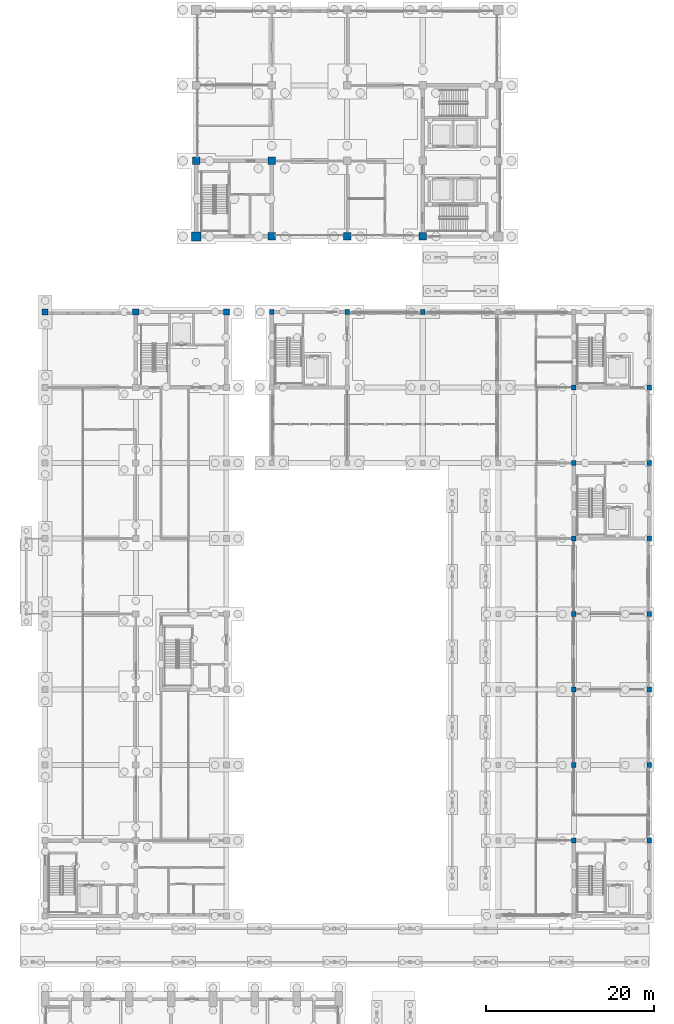
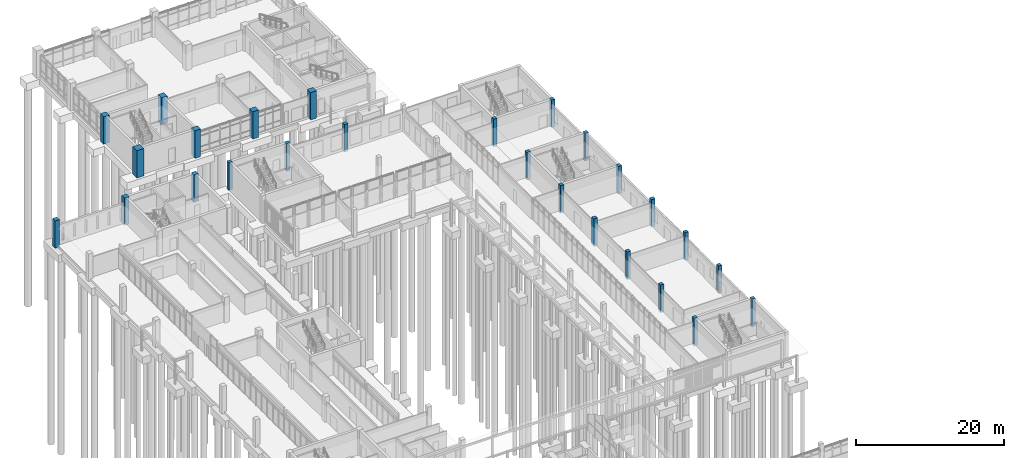
# One storey, part 21 of 106: 26 columns.
"""IFC4 building model written with IfcOpenShell, lengths in metres."""

import ifcopenshell
import ifcopenshell.guid

model = None  # the IFC model being written
_history = None  # IfcOwnerHistory: only IFC2X3 demands one
_inside = {}  # id of a spatial element -> (the spatial element, [elements in it])
_under = {}  # id of a project, library or spatial element -> (it, [spatial elements below it])
_declared = {}  # id of a project -> (the project, [libraries it declares])
_typed = {}  # id of a type object -> (the type object, [elements of that type])
_made_of = {}  # id of a material, layer set ... -> (it, [elements and type objects made of it])


def new_model(schema):
    """Start an empty IFC model of exactly this schema.

    Asked for "IFC4X3", IfcOpenShell would pick the latest addendum, in which some entities
    have other attributes; the version numbers below select the first issue.
    IFC2X3 requires an IfcOwnerHistory on every rooted entity: one is made here for all.
    """
    global model, _history
    if schema == "IFC4X3":
        model = ifcopenshell.file(schema_version=(4, 3, 0, 0))
    else:
        model = ifcopenshell.file(schema=schema)
    _inside.clear()
    _under.clear()
    _declared.clear()
    _typed.clear()
    _made_of.clear()
    _history = None
    if model.schema == "IFC2X3":
        org = make("IfcOrganization", Name="unknown")
        user = make(
            "IfcPersonAndOrganization",
            ThePerson=make("IfcPerson", FamilyName="unknown"),
            TheOrganization=org,
        )
        app = make(
            "IfcApplication",
            ApplicationDeveloper=org,
            Version="unknown",
            ApplicationFullName="unknown",
            ApplicationIdentifier="unknown",
        )
        _history = make(
            "IfcOwnerHistory",
            OwningUser=user,
            OwningApplication=app,
            ChangeAction="ADDED",
            CreationDate=0,
        )
    return model


def make(cls, **values):
    """One entity of the class cls with the attributes given. An attribute that is None is left unset."""
    return model.create_entity(
        cls, **{name: value for name, value in values.items() if value is not None}
    )


def rooted(cls, **values):
    """An entity with a GlobalId (a new one), such as an element, a storey or a relation."""
    return make(cls, GlobalId=ifcopenshell.guid.new(), OwnerHistory=_history, **values)


def si_unit(unit_type, name, prefix=None):
    """IfcSIUnit, for example si_unit("LENGTHUNIT", "METRE", prefix="MILLI")."""
    return make("IfcSIUnit", UnitType=unit_type, Prefix=prefix, Name=name)


def assignment(units):
    """IfcUnitAssignment: the units of a project."""
    return None if units is None else make("IfcUnitAssignment", Units=units)


def point(xyz):
    """IfcCartesianPoint."""
    return None if xyz is None else make("IfcCartesianPoint", Coordinates=xyz)


def direction(xyz):
    """IfcDirection."""
    return None if xyz is None else make("IfcDirection", DirectionRatios=xyz)


def frame(location, z_axis=None, x_axis=None):
    """IfcAxis2Placement3D, a coordinate frame: its origin and axes. An axis left out is left unset."""
    return make(
        "IfcAxis2Placement3D",
        Location=point(location),
        Axis=direction(z_axis),
        RefDirection=direction(x_axis),
    )


def frame_2d(location, x_axis=None):
    """IfcAxis2Placement2D, a coordinate frame in the plane: its origin and x axis."""
    return make(
        "IfcAxis2Placement2D", Location=point(location), RefDirection=direction(x_axis)
    )


def origin():
    """The frame at (0, 0, 0) with its axes left unset."""
    return frame((0.0, 0.0, 0.0))


def origin_2d():
    """The frame at (0, 0) in the plane with its x axis left unset."""
    return frame_2d((0.0, 0.0))


def place(relative_to, where):
    """IfcLocalPlacement: puts the frame where relative to a parent placement (None: the world)."""
    return make(
        "IfcLocalPlacement", PlacementRelTo=relative_to, RelativePlacement=where
    )


def context(
    kind, dimensions, precision=None, world=None, true_north=None, identifier=None
):
    """IfcGeometricRepresentationContext, for example the 3D "Model" context."""
    return make(
        "IfcGeometricRepresentationContext",
        ContextIdentifier=identifier,
        ContextType=kind,
        CoordinateSpaceDimension=dimensions,
        Precision=precision,
        WorldCoordinateSystem=world,
        TrueNorth=true_north,
    )


def subcontext(parent, identifier, kind, view, scale=None):
    """IfcGeometricRepresentationSubContext, for example "Body" below "Model"."""
    return make(
        "IfcGeometricRepresentationSubContext",
        ContextIdentifier=identifier,
        ContextType=kind,
        ParentContext=parent,
        TargetScale=scale,
        TargetView=view,
    )


def project(units=None, contexts=None):
    """IfcProject with its units and contexts."""
    return rooted(
        "IfcProject",
        Name="project",
        RepresentationContexts=contexts,
        UnitsInContext=assignment(units),
    )


def spatial(cls, under=None, at=None, **own):
    """A site, building, storey or space (cls), placed at a placement, below another one or the project."""
    s = rooted(cls, ObjectPlacement=at, **own)
    if under is not None:
        _under.setdefault(under.id(), (under, []))[1].append(s)
    return s


def profile(cls, at=None, kind="AREA", **sizes):
    """A parametric profile (cls). Its sizes go by their IFC names, for example OverallWidth=200.0."""
    return make(cls, ProfileType=kind, Position=at, **sizes)


def rectangle(**sizes):
    """IfcRectangleProfileDef."""
    return profile("IfcRectangleProfileDef", **sizes)


def extrude(swept, where, along, depth):
    """IfcExtrudedAreaSolid: the profile swept, set in the frame where, extruded along a direction by depth."""
    return make(
        "IfcExtrudedAreaSolid",
        SweptArea=swept,
        Position=where,
        ExtrudedDirection=direction(along),
        Depth=depth,
    )


def shape(context_of_items, identifier, shape_type, items):
    """IfcShapeRepresentation: the items that make up one representation, for example the "Body"."""
    return make(
        "IfcShapeRepresentation",
        ContextOfItems=context_of_items,
        RepresentationIdentifier=identifier,
        RepresentationType=shape_type,
        Items=items,
    )


def material(Name=None, Category=None):
    """IfcMaterial."""
    return make("IfcMaterial", Name=Name, Category=Category)


def material_profile(
    of_material, cross_section, Name=None, Category=None, Priority=None
):
    """IfcMaterialProfile: a cross section and its material."""
    return make(
        "IfcMaterialProfile",
        Name=Name,
        Material=of_material,
        Profile=cross_section,
        Priority=Priority,
        Category=Category,
    )


def profile_set(profiles, Name=None, composite=None):
    """IfcMaterialProfileSet."""
    return make(
        "IfcMaterialProfileSet",
        Name=Name,
        MaterialProfiles=profiles,
        CompositeProfile=composite,
    )


def made_of(thing, what):
    """Note that an element or type object is made of a material, layer set ...; save() writes the relation."""
    if what is not None:
        _made_of.setdefault(what.id(), (what, []))[1].append(thing)
    return thing


def type_object(cls, material=None, **own):
    """A type object (cls), such as IfcWallType, which elements share."""
    return made_of(rooted(cls, **own), material)


def element(
    cls,
    number,
    at=None,
    inside=None,
    cuts=None,
    type_object=None,
    material=None,
    context=None,
    identifier="Body",
    shape_type=None,
    held_by="IfcProductDefinitionShape",
    body=None,
    shapes=None,
    **own,
):
    """One element of the class cls, such as IfcWall. Its Tag is "e" and its number.

    at: its placement. inside: the storey or other place that contains it. cuts: it is an
    opening in that element (IfcRelVoidsElement). A single representation is given by context,
    identifier, shape_type and body (its items); several are given by shapes. held_by: the class
    of the entity that holds the representations. save() writes the other relations.
    """
    e = rooted(cls, Tag="e%d" % number, ObjectPlacement=at, **own)
    if body is not None:
        shapes = [shape(context, identifier, shape_type, body)]
    if shapes is not None:
        e.Representation = make(held_by, Representations=shapes)
    if inside is not None:
        _inside.setdefault(inside.id(), (inside, []))[1].append(e)
    if cuts is not None:
        rooted(
            "IfcRelVoidsElement", RelatingBuildingElement=cuts, RelatedOpeningElement=e
        )
    if type_object is not None:
        _typed.setdefault(type_object.id(), (type_object, []))[1].append(e)
    return made_of(e, material)


def aggregate(whole, parts):
    """IfcRelAggregates: a whole, such as a stair, and the parts it consists of."""
    return rooted("IfcRelAggregates", RelatingObject=whole, RelatedObjects=parts)


def save(model, path):
    """Write the relations noted so far, then the file.

    IfcRelAggregates (storeys below a building ...), IfcRelContainedInSpatialStructure (elements
    in a storey), IfcRelDefinesByType, IfcRelAssociatesMaterial and IfcRelDeclares: one each for
    every whole, place, type object, material and project.
    """
    for whole, parts in _under.values():
        aggregate(whole, parts)
    for where, things in _inside.values():
        rooted(
            "IfcRelContainedInSpatialStructure",
            RelatedElements=things,
            RelatingStructure=where,
        )
    for kind, things in _typed.values():
        rooted("IfcRelDefinesByType", RelatedObjects=things, RelatingType=kind)
    for what, things in _made_of.values():
        rooted("IfcRelAssociatesMaterial", RelatedObjects=things, RelatingMaterial=what)
    for by, libraries in _declared.values():
        rooted("IfcRelDeclares", RelatingContext=by, RelatedDefinitions=libraries)
    model.write(path)


model = new_model("IFC4")

# Units and contexts
model_context = context("Model", 3, precision=1e-05, world=origin(), true_north=direction((0.0, 1.0)))
body_context = subcontext(model_context, "Body", "Model", "MODEL_VIEW")
ifc_project = project(units=[si_unit("LENGTHUNIT", "METRE"), si_unit("AREAUNIT", "SQUARE_METRE"), si_unit("VOLUMEUNIT", "CUBIC_METRE"), si_unit("PLANEANGLEUNIT", "RADIAN"), si_unit("MASSUNIT", "GRAM", prefix="KILO")], contexts=[model_context])

# Site, building, storey
site_placement = place(None, origin())
site = spatial("IfcSite", under=ifc_project, at=site_placement, CompositionType="ELEMENT")
building_placement = place(site_placement, origin())
building = spatial("IfcBuilding", under=site, at=building_placement, Name="Merrow Basin Faculty of Sciences", CompositionType="ELEMENT")
storey_placement = place(building_placement, origin())
storey = spatial("IfcBuildingStorey", under=building, at=storey_placement, Name="L00", CompositionType="ELEMENT", Elevation=0.0)

# Columns
ifc_material_1 = material(Name="Concrete C50/60", Category="concrete")
ifc_material_profile_1 = material_profile(ifc_material_1, rectangle(XDim=1.10009765625, YDim=1.10009765625, at=origin_2d()))
ifc_profile_set_1 = profile_set([ifc_material_profile_1], Name="Concrete C50/60")
column_type_1 = type_object("IfcColumnType", Name="Column RC1100x1100 C50/60", PredefinedType="COLUMN", material=ifc_profile_set_1)
column_1_placement = place(storey_placement, frame((18.0, 142.0, -0.300048828125), z_axis=(0.0, 0.0, 1.0), x_axis=(1.0, 0.0, 0.0)))
element("IfcColumn", 1, at=column_1_placement, inside=storey, type_object=column_type_1, Name="Column S13 L00", PredefinedType="COLUMN", context=body_context, shape_type="SweptSolid", body=[
    extrude(rectangle(XDim=1.10009765625, YDim=1.10009765625, at=origin_2d()), origin(), (0.0, 0.0, 1.0), 4.5),
])
ifc_material_2 = material(Name="Concrete C40/50", Category="concrete")
ifc_material_profile_2 = material_profile(ifc_material_2, rectangle(XDim=0.550048828125, YDim=0.550048828125, at=origin_2d()))
ifc_profile_set_2 = profile_set([ifc_material_profile_2], Name="Concrete C40/50")
column_type_2 = type_object("IfcColumnType", Name="Column RC550x550 C40/50", PredefinedType="COLUMN", material=ifc_profile_set_2)
for number, where, z_axis, x_axis, name in (
    (2, (27.0, 133.0, -0.300048828125), (0.0, 0.0, 1.0), (1.0, 0.0, 0.0), "Column D9 L00"),
    (3, (36.0, 133.0, -0.300048828125), (0.0, 0.0, 1.0), (1.0, 0.0, 0.0), "Column E9 L00"),
    (4, (45.0, 133.0, -0.300048828125), (0.0, 0.0, 1.0), (1.0, 0.0, 0.0), "Column F9 L00"),
    (5, (63.0, 70.0, -0.300048828125), (0.0, 0.0, 1.0), (1.0, 0.0, 0.0), "Column H2 L00"),
    (6, (63.0, 79.0, -0.300048828125), (0.0, 0.0, 1.0), (1.0, 0.0, 0.0), "Column H3 L00"),
    (7, (63.0, 88.0, -0.300048828125), (0.0, 0.0, 1.0), (1.0, 0.0, 0.0), "Column H4 L00"),
    (8, (63.0, 97.0, -0.300048828125), (0.0, 0.0, 1.0), (1.0, 0.0, 0.0), "Column H5 L00"),
    (9, (63.0, 106.0, -0.300048828125), (0.0, 0.0, 1.0), (1.0, 0.0, 0.0), "Column H6 L00"),
    (10, (63.0, 115.0, -0.300048828125), (0.0, 0.0, 1.0), (1.0, 0.0, 0.0), "Column H7 L00"),
    (11, (63.0, 124.0, -0.300048828125), (0.0, 0.0, 1.0), (1.0, 0.0, 0.0), "Column H8 L00"),
    (12, (72.0, 70.0, -0.300048828125), (0.0, 0.0, 1.0), (1.0, 0.0, 0.0), "Column J2 L00"),
    (13, (72.0, 79.0, -0.300048828125), (0.0, 0.0, 1.0), (1.0, 0.0, 0.0), "Column J3 L00"),
    (14, (72.0, 88.0, -0.300048828125), (0.0, 0.0, 1.0), (1.0, 0.0, 0.0), "Column J4 L00"),
    (15, (72.0, 97.0, -0.300048828125), (0.0, 0.0, 1.0), (1.0, 0.0, 0.0), "Column J5 L00"),
    (16, (72.0, 106.0, -0.300048828125), (0.0, 0.0, 1.0), (1.0, 0.0, 0.0), "Column J6 L00"),
    (17, (72.0, 115.0, -0.300048828125), (0.0, 0.0, 1.0), (1.0, 0.0, 0.0), "Column J7 L00"),
    (18, (72.0, 124.0, -0.300048828125), (0.0, 0.0, 1.0), (1.0, 0.0, 0.0), "Column J8 L00"),
):
    element("IfcColumn", number, at=place(storey_placement, frame(where, z_axis=z_axis, x_axis=x_axis)), inside=storey, type_object=column_type_2, Name=name, PredefinedType="COLUMN", context=body_context, shape_type="SweptSolid", body=[
        extrude(rectangle(XDim=0.550048828125, YDim=0.550048828125, at=origin_2d()), origin(), (0.0, 0.0, 1.0), 4.550048828125),
    ])
ifc_material_3 = material(Name="Concrete C40/50", Category="concrete")
ifc_material_profile_3 = material_profile(ifc_material_3, rectangle(XDim=0.699951171875, YDim=0.699951171875, at=origin_2d()))
ifc_profile_set_3 = profile_set([ifc_material_profile_3], Name="Concrete C40/50")
column_type_3 = type_object("IfcColumnType", Name="Column RC700x700 C40/50", PredefinedType="COLUMN", material=ifc_profile_set_3)
for number, where, z_axis, x_axis, name in (
    (19, (0.0, 133.0, -0.300048828125), (0.0, 0.0, 1.0), (1.0, 0.0, 0.0), "Column A9 L00"),
    (20, (21.60009765625, 133.0, -0.300048828125), (0.0, 0.0, 1.0), (1.0, 0.0, 0.0), "Column C9 L00"),
):
    element("IfcColumn", number, at=place(storey_placement, frame(where, z_axis=z_axis, x_axis=x_axis)), inside=storey, type_object=column_type_3, Name=name, PredefinedType="COLUMN", context=body_context, shape_type="SweptSolid", body=[
        extrude(rectangle(XDim=0.699951171875, YDim=0.699951171875, at=origin_2d()), origin(), (0.0, 0.0, 1.0), 4.5),
    ])
ifc_material_4 = material(Name="Concrete C40/50", Category="concrete")
ifc_material_profile_4 = material_profile(ifc_material_4, rectangle(XDim=0.75, YDim=0.75, at=origin_2d()))
ifc_profile_set_4 = profile_set([ifc_material_profile_4], Name="Concrete C40/50")
column_type_4 = type_object("IfcColumnType", Name="Column RC750x750 C40/50", PredefinedType="COLUMN", material=ifc_profile_set_4)
column_2_placement = place(storey_placement, frame((10.800048828125, 133.0, -0.300048828125), z_axis=(0.0, 0.0, 1.0), x_axis=(1.0, 0.0, 0.0)))
element("IfcColumn", 21, at=column_2_placement, inside=storey, type_object=column_type_4, Name="Column B9 L00", PredefinedType="COLUMN", context=body_context, shape_type="SweptSolid", body=[
    extrude(rectangle(XDim=0.75, YDim=0.75, at=origin_2d()), origin(), (0.0, 0.0, 1.0), 4.5),
])
ifc_material_5 = material(Name="Concrete C50/60", Category="concrete")
ifc_material_profile_5 = material_profile(ifc_material_5, rectangle(XDim=0.89990234375, YDim=0.89990234375, at=origin_2d()))
ifc_profile_set_5 = profile_set([ifc_material_profile_5], Name="Concrete C50/60")
column_type_5 = type_object("IfcColumnType", Name="Column RC900x900 C50/60", PredefinedType="COLUMN", material=ifc_profile_set_5)
for number, where, z_axis, x_axis, name in (
    (22, (18.0, 151.0, -0.300048828125), (0.0, 0.0, 1.0), (1.0, 0.0, 0.0), "Column S14 L00"),
    (23, (27.0, 142.0, -0.300048828125), (0.0, 0.0, 1.0), (1.0, 0.0, 0.0), "Column D13 L00"),
    (24, (27.0, 151.0, -0.300048828125), (0.0, 0.0, 1.0), (1.0, 0.0, 0.0), "Column D14 L00"),
    (25, (36.0, 142.0, -0.300048828125), (0.0, 0.0, 1.0), (1.0, 0.0, 0.0), "Column E13 L00"),
    (26, (45.0, 142.0, -0.300048828125), (0.0, 0.0, 1.0), (1.0, 0.0, 0.0), "Column F13 L00"),
):
    element("IfcColumn", number, at=place(storey_placement, frame(where, z_axis=z_axis, x_axis=x_axis)), inside=storey, type_object=column_type_5, Name=name, PredefinedType="COLUMN", context=body_context, shape_type="SweptSolid", body=[
        extrude(rectangle(XDim=0.89990234375, YDim=0.89990234375, at=origin_2d()), origin(), (0.0, 0.0, 1.0), 4.5),
    ])

save(model, "model.ifc")
